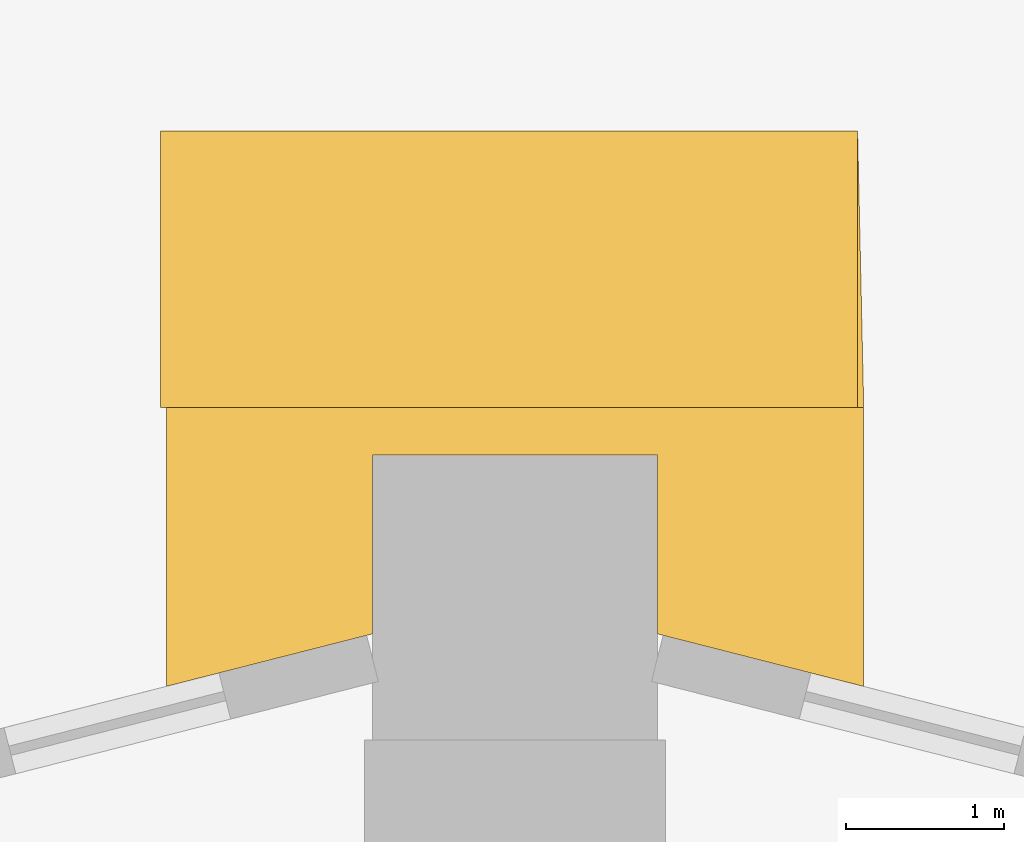
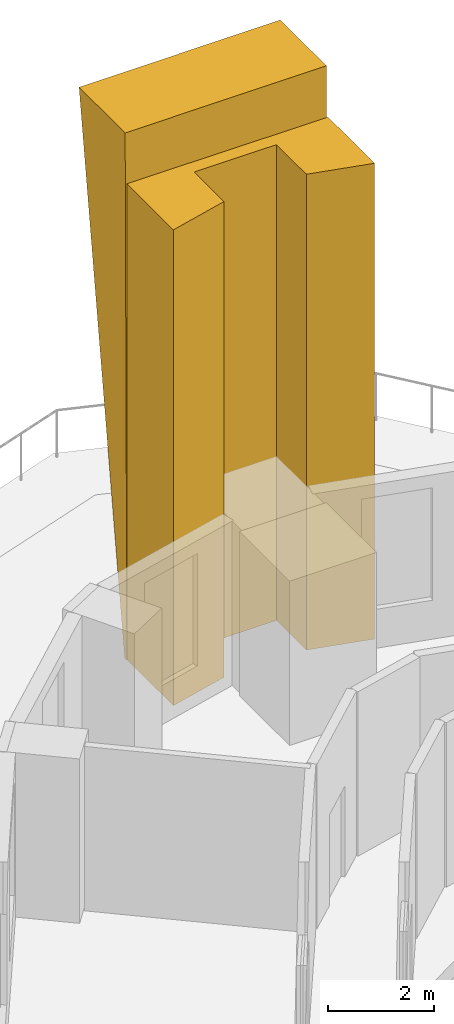
# One storey, part 13 of 13: 2 coverings.
"""IFC4 building model written with IfcOpenShell, lengths in metres."""

import ifcopenshell
import ifcopenshell.guid

model = None  # the IFC model being written
_history = None  # IfcOwnerHistory: only IFC2X3 demands one
_inside = {}  # id of a spatial element -> (the spatial element, [elements in it])
_under = {}  # id of a project, library or spatial element -> (it, [spatial elements below it])
_declared = {}  # id of a project -> (the project, [libraries it declares])
_typed = {}  # id of a type object -> (the type object, [elements of that type])
_made_of = {}  # id of a material, layer set ... -> (it, [elements and type objects made of it])


def new_model(schema):
    """Start an empty IFC model of exactly this schema.

    Asked for "IFC4X3", IfcOpenShell would pick the latest addendum, in which some entities
    have other attributes; the version numbers below select the first issue.
    IFC2X3 requires an IfcOwnerHistory on every rooted entity: one is made here for all.
    """
    global model, _history
    if schema == "IFC4X3":
        model = ifcopenshell.file(schema_version=(4, 3, 0, 0))
    else:
        model = ifcopenshell.file(schema=schema)
    _inside.clear()
    _under.clear()
    _declared.clear()
    _typed.clear()
    _made_of.clear()
    _history = None
    if model.schema == "IFC2X3":
        org = make("IfcOrganization", Name="unknown")
        user = make(
            "IfcPersonAndOrganization",
            ThePerson=make("IfcPerson", FamilyName="unknown"),
            TheOrganization=org,
        )
        app = make(
            "IfcApplication",
            ApplicationDeveloper=org,
            Version="unknown",
            ApplicationFullName="unknown",
            ApplicationIdentifier="unknown",
        )
        _history = make(
            "IfcOwnerHistory",
            OwningUser=user,
            OwningApplication=app,
            ChangeAction="ADDED",
            CreationDate=0,
        )
    return model


def make(cls, **values):
    """One entity of the class cls with the attributes given. An attribute that is None is left unset."""
    return model.create_entity(
        cls, **{name: value for name, value in values.items() if value is not None}
    )


def rooted(cls, **values):
    """An entity with a GlobalId (a new one), such as an element, a storey or a relation."""
    return make(cls, GlobalId=ifcopenshell.guid.new(), OwnerHistory=_history, **values)


def si_unit(unit_type, name, prefix=None):
    """IfcSIUnit, for example si_unit("LENGTHUNIT", "METRE", prefix="MILLI")."""
    return make("IfcSIUnit", UnitType=unit_type, Prefix=prefix, Name=name)


def assignment(units):
    """IfcUnitAssignment: the units of a project."""
    return None if units is None else make("IfcUnitAssignment", Units=units)


def point(xyz):
    """IfcCartesianPoint."""
    return None if xyz is None else make("IfcCartesianPoint", Coordinates=xyz)


def direction(xyz):
    """IfcDirection."""
    return None if xyz is None else make("IfcDirection", DirectionRatios=xyz)


def frame(location, z_axis=None, x_axis=None):
    """IfcAxis2Placement3D, a coordinate frame: its origin and axes. An axis left out is left unset."""
    return make(
        "IfcAxis2Placement3D",
        Location=point(location),
        Axis=direction(z_axis),
        RefDirection=direction(x_axis),
    )


def origin():
    """The frame at (0, 0, 0) with its axes left unset."""
    return frame((0.0, 0.0, 0.0))


def place(relative_to, where):
    """IfcLocalPlacement: puts the frame where relative to a parent placement (None: the world)."""
    return make(
        "IfcLocalPlacement", PlacementRelTo=relative_to, RelativePlacement=where
    )


def context(
    kind, dimensions, precision=None, world=None, true_north=None, identifier=None
):
    """IfcGeometricRepresentationContext, for example the 3D "Model" context."""
    return make(
        "IfcGeometricRepresentationContext",
        ContextIdentifier=identifier,
        ContextType=kind,
        CoordinateSpaceDimension=dimensions,
        Precision=precision,
        WorldCoordinateSystem=world,
        TrueNorth=true_north,
    )


def subcontext(parent, identifier, kind, view, scale=None):
    """IfcGeometricRepresentationSubContext, for example "Body" below "Model"."""
    return make(
        "IfcGeometricRepresentationSubContext",
        ContextIdentifier=identifier,
        ContextType=kind,
        ParentContext=parent,
        TargetScale=scale,
        TargetView=view,
    )


def project(units=None, contexts=None):
    """IfcProject with its units and contexts."""
    return rooted(
        "IfcProject",
        Name="project",
        RepresentationContexts=contexts,
        UnitsInContext=assignment(units),
    )


def spatial(cls, under=None, at=None, **own):
    """A site, building, storey or space (cls), placed at a placement, below another one or the project."""
    s = rooted(cls, ObjectPlacement=at, **own)
    if under is not None:
        _under.setdefault(under.id(), (under, []))[1].append(s)
    return s


def polyline(points):
    """IfcPolyline through the points."""
    return make("IfcPolyline", Points=[point(p) for p in points])


def outline(outer, holes=None, kind="AREA"):
    """IfcArbitraryClosedProfileDef: a profile drawn as a closed curve; with holes, ...WithVoids."""
    if holes is None:
        return make("IfcArbitraryClosedProfileDef", ProfileType=kind, OuterCurve=outer)
    return make(
        "IfcArbitraryProfileDefWithVoids",
        ProfileType=kind,
        OuterCurve=outer,
        InnerCurves=holes,
    )


def extrude(swept, where, along, depth):
    """IfcExtrudedAreaSolid: the profile swept, set in the frame where, extruded along a direction by depth."""
    return make(
        "IfcExtrudedAreaSolid",
        SweptArea=swept,
        Position=where,
        ExtrudedDirection=direction(along),
        Depth=depth,
    )


def shape(context_of_items, identifier, shape_type, items):
    """IfcShapeRepresentation: the items that make up one representation, for example the "Body"."""
    return make(
        "IfcShapeRepresentation",
        ContextOfItems=context_of_items,
        RepresentationIdentifier=identifier,
        RepresentationType=shape_type,
        Items=items,
    )


def material(Name=None, Category=None):
    """IfcMaterial."""
    return make("IfcMaterial", Name=Name, Category=Category)


def made_of(thing, what):
    """Note that an element or type object is made of a material, layer set ...; save() writes the relation."""
    if what is not None:
        _made_of.setdefault(what.id(), (what, []))[1].append(thing)
    return thing


def type_object(cls, material=None, **own):
    """A type object (cls), such as IfcWallType, which elements share."""
    return made_of(rooted(cls, **own), material)


def element(
    cls,
    number,
    at=None,
    inside=None,
    cuts=None,
    type_object=None,
    material=None,
    context=None,
    identifier="Body",
    shape_type=None,
    held_by="IfcProductDefinitionShape",
    body=None,
    shapes=None,
    **own,
):
    """One element of the class cls, such as IfcWall. Its Tag is "e" and its number.

    at: its placement. inside: the storey or other place that contains it. cuts: it is an
    opening in that element (IfcRelVoidsElement). A single representation is given by context,
    identifier, shape_type and body (its items); several are given by shapes. held_by: the class
    of the entity that holds the representations. save() writes the other relations.
    """
    e = rooted(cls, Tag="e%d" % number, ObjectPlacement=at, **own)
    if body is not None:
        shapes = [shape(context, identifier, shape_type, body)]
    if shapes is not None:
        e.Representation = make(held_by, Representations=shapes)
    if inside is not None:
        _inside.setdefault(inside.id(), (inside, []))[1].append(e)
    if cuts is not None:
        rooted(
            "IfcRelVoidsElement", RelatingBuildingElement=cuts, RelatedOpeningElement=e
        )
    if type_object is not None:
        _typed.setdefault(type_object.id(), (type_object, []))[1].append(e)
    return made_of(e, material)


def aggregate(whole, parts):
    """IfcRelAggregates: a whole, such as a stair, and the parts it consists of."""
    return rooted("IfcRelAggregates", RelatingObject=whole, RelatedObjects=parts)


def save(model, path):
    """Write the relations noted so far, then the file.

    IfcRelAggregates (storeys below a building ...), IfcRelContainedInSpatialStructure (elements
    in a storey), IfcRelDefinesByType, IfcRelAssociatesMaterial and IfcRelDeclares: one each for
    every whole, place, type object, material and project.
    """
    for whole, parts in _under.values():
        aggregate(whole, parts)
    for where, things in _inside.values():
        rooted(
            "IfcRelContainedInSpatialStructure",
            RelatedElements=things,
            RelatingStructure=where,
        )
    for kind, things in _typed.values():
        rooted("IfcRelDefinesByType", RelatedObjects=things, RelatingType=kind)
    for what, things in _made_of.values():
        rooted("IfcRelAssociatesMaterial", RelatedObjects=things, RelatingMaterial=what)
    for by, libraries in _declared.values():
        rooted("IfcRelDeclares", RelatingContext=by, RelatedDefinitions=libraries)
    model.write(path)


model = new_model("IFC4")

# Units and contexts
model_context = context("Model", 3, precision=1e-05, world=origin(), true_north=direction((0.0, 1.0)))
body_context = subcontext(model_context, "Body", "Model", "MODEL_VIEW")
ifc_project = project(units=[si_unit("LENGTHUNIT", "METRE"), si_unit("AREAUNIT", "SQUARE_METRE"), si_unit("VOLUMEUNIT", "CUBIC_METRE"), si_unit("PLANEANGLEUNIT", "RADIAN"), si_unit("MASSUNIT", "GRAM", prefix="KILO")], contexts=[model_context])

# Site, building, storey
site_placement = place(None, origin())
site = spatial("IfcSite", under=ifc_project, at=site_placement, CompositionType="ELEMENT")
building_placement = place(site_placement, origin())
building = spatial("IfcBuilding", under=site, at=building_placement, Name="Entoto Arch Interchange Tower", CompositionType="ELEMENT")
storey_placement = place(building_placement, frame((0.0, 0.0, 189.800048828125)))
storey = spatial("IfcBuildingStorey", under=building, at=storey_placement, Name="L42", CompositionType="ELEMENT", Elevation=189.800048828125)

# Coverings
ifc_material = material(Name="Board-marked precast concrete C50/60", Category="concrete")
covering_type = type_object("IfcCoveringType", Name="PRECAST FRAME COURSE", PredefinedType="CLADDING", material=ifc_material)
covering_1_placement = place(storey_placement, origin())
element("IfcCovering", 1, at=covering_1_placement, inside=storey, type_object=covering_type, Name="Corner pilaster N L42-L44", PredefinedType="CLADDING", context=body_context, shape_type="SweptSolid", body=[
    extrude(outline(polyline([(-2.199951171875, 34.199951171875), (2.199951171875, 34.199951171875), (2.199951171875, 32.43994140625), (0.89990234375, 32.77099609375), (0.89990234375, 33.89990234375), (-0.89990234375, 33.89990234375), (-0.89990234375, 32.77099609375), (-2.199951171875, 32.43994140625), (-2.199951171875, 34.199951171875)])), origin(), (0.0, 0.0, 1.0), 11.0),
])
covering_2_placement = place(storey_placement, frame((2.199951171875, 34.199951171875, 0.0), z_axis=(0.999995434537, 0.0, 0.003021738821), x_axis=(0.0, 1.0, 0.0)))
element("IfcCovering", 2, at=covering_2_placement, inside=storey, type_object=covering_type, Name="Corner rib N L42-L44", PredefinedType="CLADDING", context=body_context, shape_type="SweptSolid", body=[
    extrude(outline(polyline([(0.0, 0.0), (0.08203125, 0.0), (1.7451171875, 12.200006870557068), (0.0, 12.200006870557068), (0.0, 0.0)])), origin(), (0.0, 0.0, -1.0), 4.39990234375),
])

save(model, "model.ifc")
